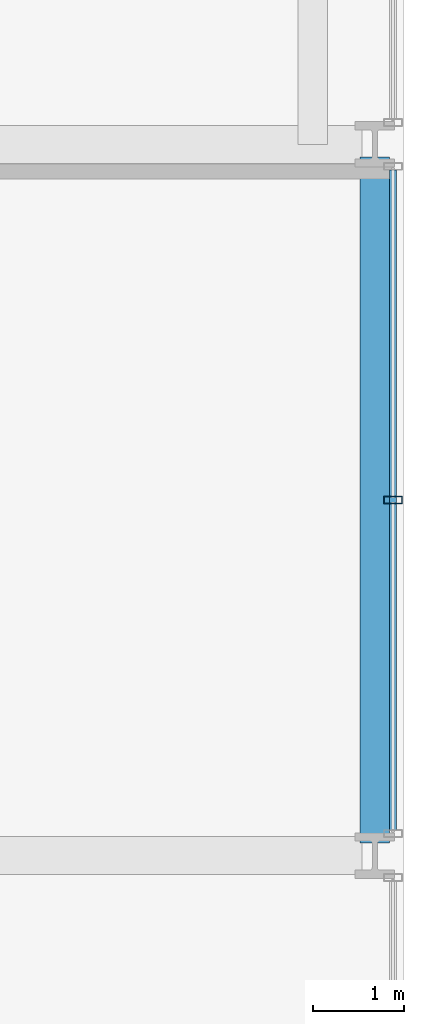
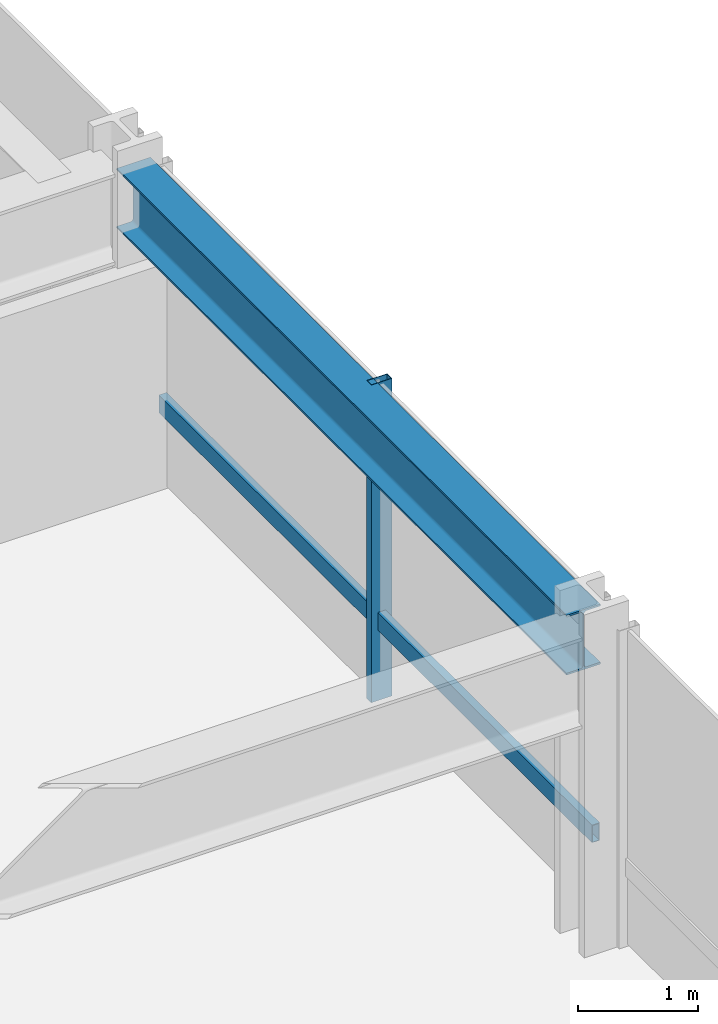
# One storey, part 14 of 38: 2 members, 1 beam, 1 element without a shape of its own.
"""IFC4 building model written with IfcOpenShell, lengths in metres."""

from ifc_helpers import new_model, si_unit, direction, frame, origin, origin_2d, place, context, subcontext, project, spatial, hollow_rectangle, i_section, extrude, material, layer, layer_set, material_profile, profile_set, type_object, element, aggregate, save


model = new_model("IFC4")

# Units and contexts
model_context = context("Model", 3, precision=1e-05, world=origin(), true_north=direction((0.0, 1.0)))
body_context = subcontext(model_context, "Body", "Model", "MODEL_VIEW")
ifc_project = project(units=[si_unit("LENGTHUNIT", "METRE"), si_unit("AREAUNIT", "SQUARE_METRE"), si_unit("VOLUMEUNIT", "CUBIC_METRE"), si_unit("PLANEANGLEUNIT", "RADIAN"), si_unit("MASSUNIT", "GRAM", prefix="KILO")], contexts=[model_context])

# Site, building, storey
site_placement = place(None, origin())
site = spatial("IfcSite", under=ifc_project, at=site_placement, CompositionType="ELEMENT")
building_placement = place(site_placement, origin())
building = spatial("IfcBuilding", under=site, at=building_placement, Name="Drelvath Grand Hotel", CompositionType="ELEMENT")
storey_placement = place(building_placement, frame((0.0, 0.0, 57.699951171875)))
storey = spatial("IfcBuildingStorey", under=building, at=storey_placement, Name="L13", CompositionType="ELEMENT", Elevation=57.699951171875)

# Curtain wall, members
ifc_material_1 = material(Name="Warm Bronze Anodised Aluminium Frame", Category="aluminium")
ifc_layer = layer(ifc_material_1, 0.199951171875)
ifc_layer_set = layer_set([ifc_layer], Name="Warm Bronze Anodised Aluminium Frame")
curtain_wall_type = type_object("IfcCurtainWallType", Name="Stick Curtain Wall CW-02 Warm Bronze Low-Rise", PredefinedType="NOTDEFINED", material=ifc_layer_set)
curtain_wall_placement = place(storey_placement, origin())
curtain_wall = element("IfcCurtainWall", 1, at=curtain_wall_placement, inside=storey, type_object=curtain_wall_type, Name="L13 CW-02 Curtain Wall CW02-L13-ES2", PredefinedType="NOTDEFINED")
ifc_material_profile_1 = material_profile(ifc_material_1, hollow_rectangle(XDim=0.074951171875, YDim=0.179931640625, WallThickness=0.0048828125, at=origin_2d()), Name="HSS180X75X5")
ifc_profile_set_1 = profile_set([ifc_material_profile_1], Name="Warm Bronze Anodised Aluminium Frame")
member_type_1 = type_object("IfcMemberType", Name="Curtain Wall Horizontal Transom CW-02 HSS180X75X5", PredefinedType="USERDEFINED", material=ifc_profile_set_1)
member_1_placement = place(storey_placement, frame((26.8798828125, 18.319091796875, 0.81005859375), z_axis=(0.0, -1.0, 0.0), x_axis=(1.0, 0.0, 0.0)))
member_1 = element("IfcMember", 2, at=member_1_placement, type_object=member_type_1, Name="CW02-L13-ES2 Sill Transom", ObjectType="TRANSOM", PredefinedType="USERDEFINED", context=body_context, shape_type="SweptSolid", body=[
    extrude(hollow_rectangle(XDim=0.074951171875, YDim=0.179931640625, WallThickness=0.0048828125, at=origin_2d()), origin(), (0.0, 0.0, 1.0), 7.23828125),
])
ifc_material_profile_2 = material_profile(ifc_material_1, hollow_rectangle(XDim=0.080078125, YDim=0.199951171875, WallThickness=0.0048828125, at=origin_2d()), Name="HSS200X80X5")
ifc_profile_set_2 = profile_set([ifc_material_profile_2], Name="Warm Bronze Anodised Aluminium Frame")
member_type_2 = type_object("IfcMemberType", Name="Curtain Wall Vertical Mullion CW-02 HSS200X80X5", PredefinedType="MULLION", material=ifc_profile_set_2)
member_2_placement = place(storey_placement, frame((26.8798828125, 14.699951171875, 0.0), z_axis=(0.0, 0.0, 1.0), x_axis=(0.0, 1.0, 0.0)))
member_2 = element("IfcMember", 3, at=member_2_placement, type_object=member_type_2, Name="CW02-L13-ES2 Mullion 2", PredefinedType="MULLION", context=body_context, shape_type="SweptSolid", body=[
    extrude(hollow_rectangle(XDim=0.080078125, YDim=0.199951171875, WallThickness=0.0048828125, at=origin_2d()), origin(), (0.0, 0.0, 1.0), 3.239990234375),
])
aggregate(curtain_wall, [member_2, member_1])

# Beam
ifc_material_2 = material(Name="Steel ASTM A992 Gr 50", Category="steel")
ifc_material_profile_3 = material_profile(ifc_material_2, i_section(OverallWidth=0.323974609375, OverallDepth=0.611083984375, WebThickness=0.0126953125, FlangeThickness=0.01904296875, FilletRadius=0.02197265625, at=origin_2d()), Name="W24X104")
ifc_profile_set_3 = profile_set([ifc_material_profile_3], Name="Steel ASTM A992 Gr 50")
beam_type = type_object("IfcBeamType", Name="Perimeter Spandrel Beam W24X104", PredefinedType="SPANDREL", material=ifc_profile_set_3)
beam_placement = place(storey_placement, frame((26.679931640625, 10.93994140625, 2.9345703125), z_axis=(0.0, 1.0, 0.0), x_axis=(-1.0, 0.0, 0.0)))
element("IfcBeam", 4, at=beam_placement, inside=storey, type_object=beam_type, Name="L13 Spandrel East S", PredefinedType="SPANDREL", context=body_context, shape_type="SweptSolid", body=[
    extrude(i_section(OverallWidth=0.323974609375, OverallDepth=0.611083984375, WebThickness=0.0126953125, FlangeThickness=0.01904296875, FilletRadius=0.02197265625, at=origin_2d()), origin(), (0.0, 0.0, 1.0), 7.52001953125),
])

save(model, "model.ifc")
